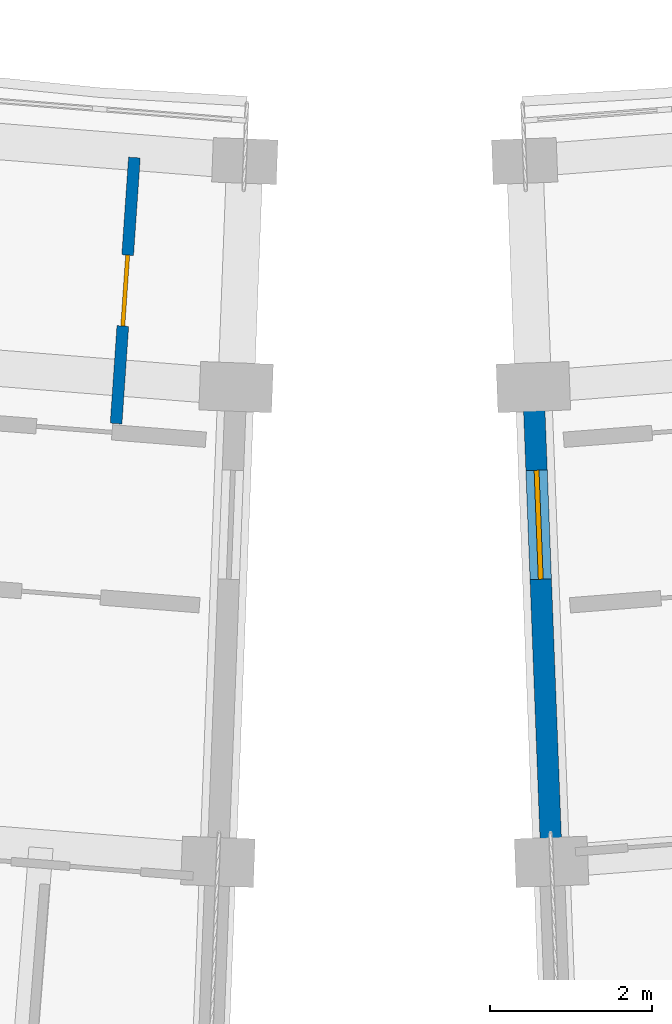
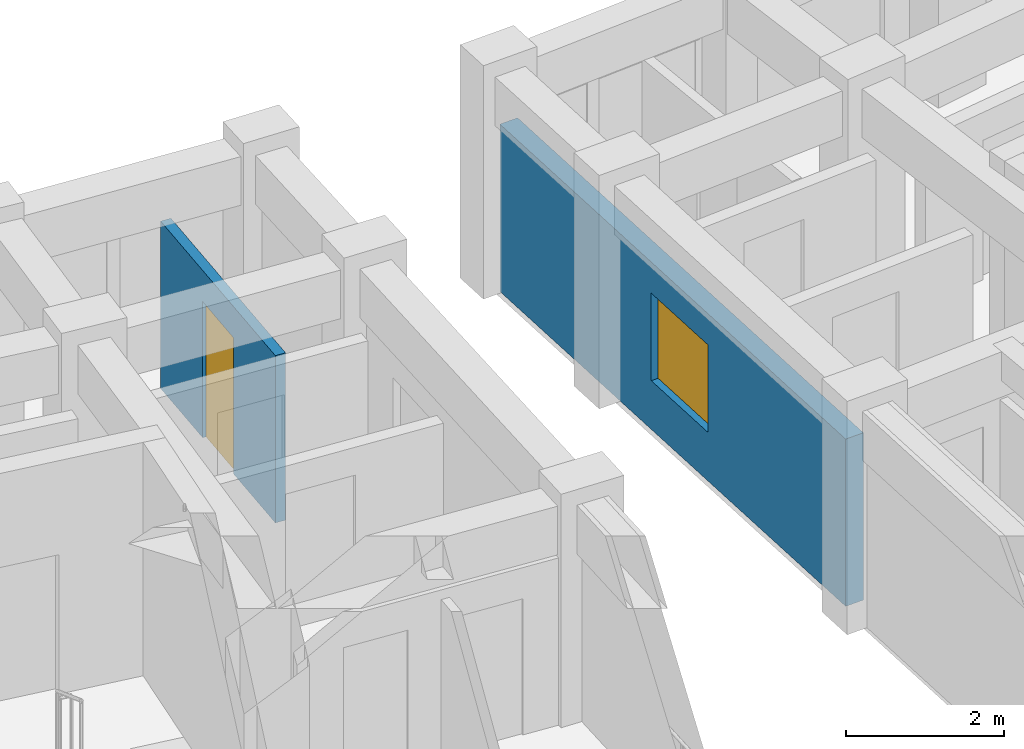
# One storey, part 58 of 83: 2 walls, 1 door, 1 window, 2 openings.
"""IFC4 building model written with IfcOpenShell, lengths in metres."""

from ifc_helpers import new_model, si_unit, direction, frame, frame_2d, origin, place, context, subcontext, project, spatial, rectangle, extrude, material, layer, layer_set, type_object, element, fill, save


model = new_model("IFC4")

# Units and contexts
model_context = context("Model", 3, precision=1e-05, world=origin(), true_north=direction((0.0, 1.0)))
body_context = subcontext(model_context, "Body", "Model", "MODEL_VIEW")
ifc_project = project(units=[si_unit("LENGTHUNIT", "METRE"), si_unit("AREAUNIT", "SQUARE_METRE"), si_unit("VOLUMEUNIT", "CUBIC_METRE"), si_unit("PLANEANGLEUNIT", "RADIAN"), si_unit("MASSUNIT", "GRAM", prefix="KILO")], contexts=[model_context])

# Site, building, storey
site_placement = place(None, origin())
site = spatial("IfcSite", under=ifc_project, at=site_placement, CompositionType="ELEMENT")
building_placement = place(site_placement, origin())
building = spatial("IfcBuilding", under=site, at=building_placement, Name="Zimvara Arc Housing Community", CompositionType="ELEMENT")
storey_placement = place(building_placement, frame((0.0, 0.0, 4.5)))
storey = spatial("IfcBuildingStorey", under=building, at=storey_placement, Name="L01", CompositionType="ELEMENT", Elevation=4.5)

# Wall, opening, window
ifc_material_1 = material(Name="Board-Marked Fair-Faced Concrete C35/45", Category="concrete")
ifc_layer_1 = layer(ifc_material_1, 0.264892578125)
ifc_layer_set_1 = layer_set([ifc_layer_1], Name="Board-Marked Fair-Faced Concrete C35/45")
wall_type_1 = type_object("IfcWallType", Name="EWL-CONC-265", PredefinedType="SOLIDWALL", material=ifc_layer_set_1)
wall_1_placement = place(storey_placement, frame((127.72119140625, 64.533447265625, 0.0), z_axis=(0.0, 0.0, 1.0), x_axis=(0.038407966241, -0.999262141847, 0.0)))
wall_1 = element("IfcWall", 1, at=wall_1_placement, inside=storey, type_object=wall_type_1, Name="ewall:blkD:L01:g0", PredefinedType="SOLIDWALL", context=body_context, shape_type="SweptSolid", body=[
    extrude(rectangle(XDim=8.199951171875, YDim=0.264892578125, at=frame_2d((4.10009765625, 0.0))), origin(), (0.0, 0.0, 1.0), 2.580078125),
])
opening_1_placement = place(wall_1_placement, frame((3.590087890625, 0.0, 0.75)))
opening_1 = element("IfcOpeningElement", 2, at=opening_1_placement, cuts=wall_1, Name="Opening W12", PredefinedType="OPENING", context=body_context, shape_type="SweptSolid", body=[
    extrude(rectangle(XDim=1.35009765625, YDim=1.35009765625, at=frame_2d((0.675048828125, 0.675048828125))), frame((0.0, 0.142333984375, 0.0), z_axis=(0.0, -1.0, 0.0), x_axis=(1.0, 0.0, 0.0)), (0.0, 0.0, 1.0), 0.284912109375),
])
ifc_material_2 = material(Name="Solar Control Low-E Double Glazing", Category="glass")
window_type = type_object("IfcWindowType", Name="WIN-RES-1350x1350", PartitioningType="DOUBLE_PANEL_VERTICAL", PredefinedType="WINDOW", material=ifc_material_2)
window_placement = place(opening_1_placement, origin())
window = element("IfcWindow", 3, at=window_placement, inside=storey, type_object=window_type, Name="win:blkD:L01:g0:w", OverallHeight=1.35009765625, OverallWidth=1.35009765625, PartitioningType="DOUBLE_PANEL_VERTICAL", PredefinedType="WINDOW", context=body_context, shape_type="SweptSolid", body=[
    extrude(rectangle(XDim=1.35009765625, YDim=1.35009765625, at=frame_2d((0.675048828125, 0.675048828125))), frame((0.0, 0.030029296875, 0.0), z_axis=(0.0, -1.0, 0.0), x_axis=(1.0, 0.0, 0.0)), (0.0, 0.0, 1.0), 0.06005859375),
])
fill(opening_1, window)

# Wall, opening, door
ifc_material_3 = material(Name="Painted Acoustic Plasterboard")
ifc_layer_2 = layer(ifc_material_3, 0.14501953125)
ifc_layer_set_2 = layer_set([ifc_layer_2], Name="Painted Acoustic Plasterboard")
wall_type_2 = type_object("IfcWallType", Name="IWL-WET-145", PredefinedType="PARTITIONING", material=ifc_layer_set_2)
wall_2_placement = place(storey_placement, frame((122.88134765625, 64.81640625, 0.0), z_axis=(0.0, 0.0, 1.0), x_axis=(-0.068581194944, -0.997645538105, 0.0)))
wall_2 = element("IfcWall", 4, at=wall_2_placement, inside=storey, type_object=wall_type_2, Name="iwall:blkC:L01:ens:b9", PredefinedType="PARTITIONING", context=body_context, shape_type="SweptSolid", body=[
    extrude(rectangle(XDim=3.300048828125, YDim=0.14501953125, at=frame_2d((1.64990234375, 0.0))), origin(), (0.0, 0.0, 1.0), 2.580078125),
])
opening_2_placement = place(wall_2_placement, frame((1.2099609375, 0.0, 0.0)))
opening_2 = element("IfcOpeningElement", 5, at=opening_2_placement, cuts=wall_2, Name="Opening D05", PredefinedType="OPENING", context=body_context, shape_type="SweptSolid", body=[
    extrude(rectangle(XDim=0.8798828125, YDim=2.10009765625, at=frame_2d((0.43994140625, 1.050048828125))), frame((0.0, 0.08251953125, 0.0), z_axis=(0.0, -1.0, 0.0), x_axis=(1.0, 0.0, 0.0)), (0.0, 0.0, 1.0), 0.1650390625),
])
ifc_material_4 = material(Name="Mozambican Hardwood", Category="wood")
door_type = type_object("IfcDoorType", Name="IDR-WC-0880x2100", OperationType="NOTDEFINED", PredefinedType="DOOR", material=ifc_material_4)
door_placement = place(opening_2_placement, origin())
door = element("IfcDoor", 6, at=door_placement, inside=storey, type_object=door_type, Name="idoor:blkC:L01:ens_d:b9", OperationType="SINGLE_SWING_LEFT", OverallHeight=2.10009765625, OverallWidth=0.8798828125, PredefinedType="DOOR", context=body_context, shape_type="SweptSolid", body=[
    extrude(rectangle(XDim=0.8798828125, YDim=2.10009765625, at=frame_2d((0.43994140625, 1.050048828125))), frame((0.0, 0.02490234375, 0.0), z_axis=(0.0, -1.0, 0.0), x_axis=(1.0, 0.0, 0.0)), (0.0, 0.0, 1.0), 0.050048828125),
])
fill(opening_2, door)

save(model, "model.ifc")
